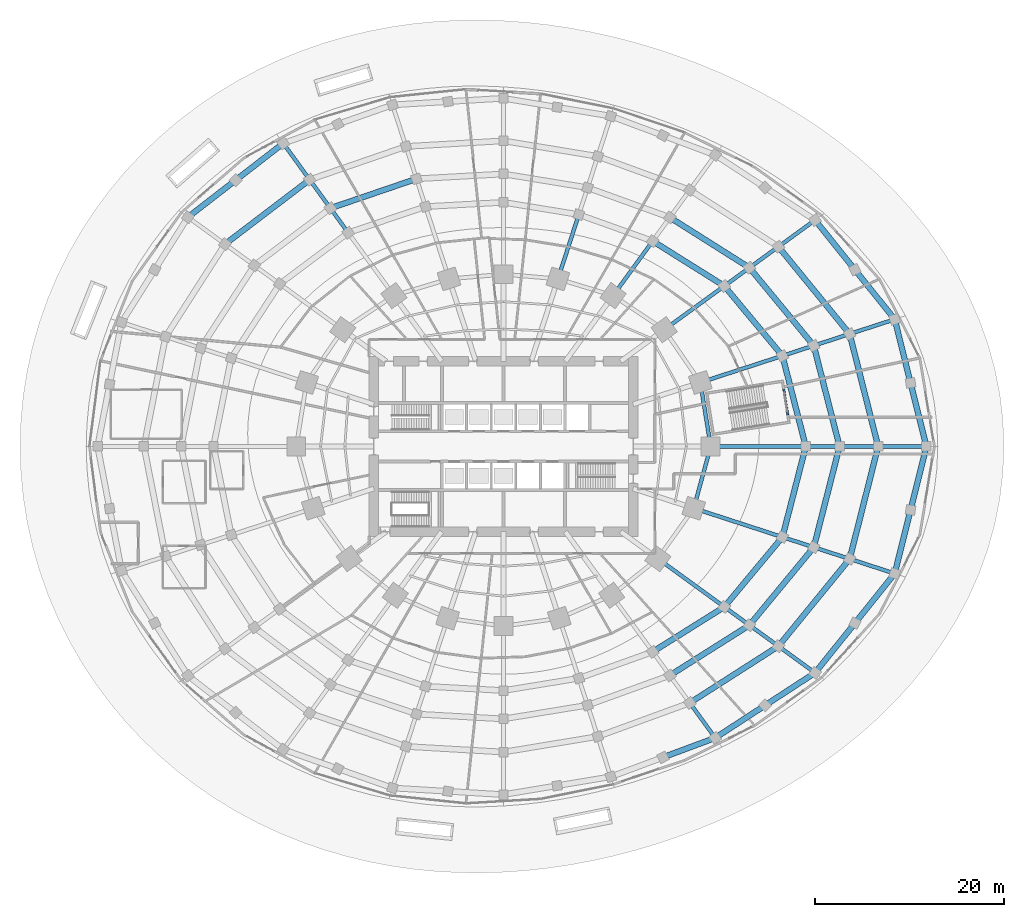
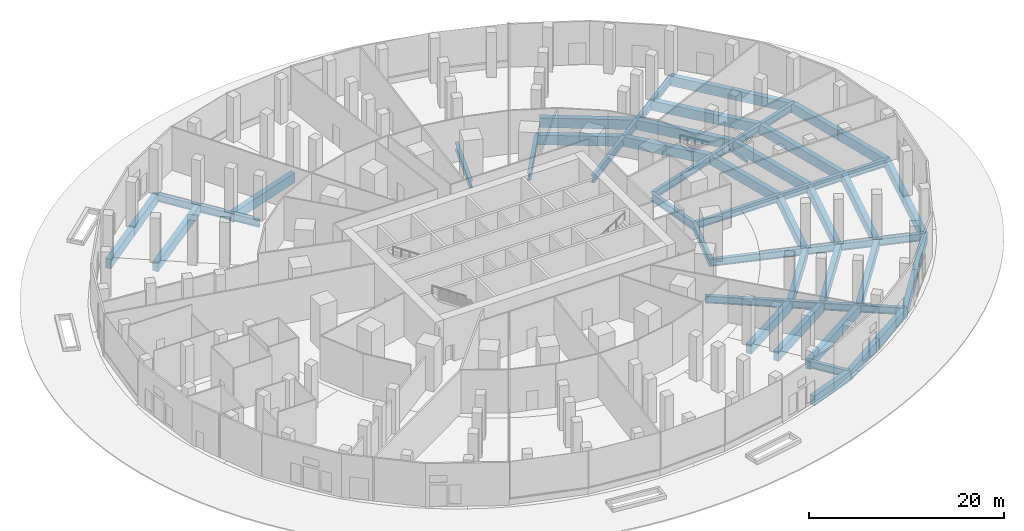
# One storey, part 9 of 23: 61 beams.
"""IFC4 building model written with IfcOpenShell, lengths in metres."""

from ifc_helpers import new_model, si_unit, direction, frame, origin, origin_2d, place, context, subcontext, project, spatial, rectangle, i_section, extrude, material, material_profile, profile_set, type_object, element, save


model = new_model("IFC4")

# Units and contexts
model_context = context("Model", 3, precision=1e-05, world=origin(), true_north=direction((0.0, 1.0)))
body_context = subcontext(model_context, "Body", "Model", "MODEL_VIEW")
ifc_project = project(units=[si_unit("LENGTHUNIT", "METRE"), si_unit("AREAUNIT", "SQUARE_METRE"), si_unit("VOLUMEUNIT", "CUBIC_METRE"), si_unit("PLANEANGLEUNIT", "RADIAN"), si_unit("MASSUNIT", "GRAM", prefix="KILO")], contexts=[model_context])

# Site, building, storey
site_placement = place(None, origin())
site = spatial("IfcSite", under=ifc_project, at=site_placement, CompositionType="ELEMENT")
building_placement = place(site_placement, origin())
building = spatial("IfcBuilding", under=site, at=building_placement, Name="Marramba Exchange Tower", CompositionType="ELEMENT")
storey_placement = place(building_placement, origin())
storey = spatial("IfcBuildingStorey", under=building, at=storey_placement, Name="L00", CompositionType="ELEMENT", Elevation=0.0)

# Beams
ifc_material_1 = material(Name="Concrete N50", Category="concrete")
ifc_material_profile_1 = material_profile(ifc_material_1, rectangle(XDim=0.60009765625, YDim=1.199951171875, at=origin_2d()), Name="RC 600x1200")
ifc_profile_set_1 = profile_set([ifc_material_profile_1], Name="Concrete N50")
beam_type_1 = type_object("IfcBeamType", Name="Edge beam RC 600x1200 N50", PredefinedType="SPANDREL", material=ifc_profile_set_1)
beam_1_placement = place(storey_placement, frame((44.699951171875, 0.0, -0.800048828125), z_axis=(-0.241871786274, 0.97030821856, 0.0), x_axis=(-0.97030821856, -0.241871786274, 0.0)))
element("IfcBeam", 1, at=beam_1_placement, inside=storey, type_object=beam_type_1, Name="Edge beam L00 P0C01 half 1", PredefinedType="SPANDREL", context=body_context, shape_type="SweptSolid", body=[
    extrude(rectangle(XDim=0.60009765625, YDim=1.199951171875, at=origin_2d()), origin(), (0.0, 0.0, 1.0), 6.92333984375),
])
beam_2_placement = place(storey_placement, frame((43.025390625, 6.7177734375, -0.800048828125), z_axis=(-0.24186351057, 0.970310281433, 0.0), x_axis=(-0.970310281433, -0.24186351057, 0.0)))
element("IfcBeam", 2, at=beam_2_placement, inside=storey, type_object=beam_type_1, Name="Edge beam L00 P0C01 half 2", PredefinedType="SPANDREL", context=body_context, shape_type="SweptSolid", body=[
    extrude(rectangle(XDim=0.60009765625, YDim=1.199951171875, at=origin_2d()), origin(), (0.0, 0.0, 1.0), 6.923583984375),
])
beam_3_placement = place(storey_placement, frame((41.350830078125, 13.435791015625, -0.800048828125), z_axis=(-0.626008962796, 0.779815861918, 0.0), x_axis=(-0.779815861918, -0.626008962796, 0.0)))
element("IfcBeam", 3, at=beam_3_placement, inside=storey, type_object=beam_type_1, Name="Edge beam L00 P0C02 half 1", PredefinedType="SPANDREL", context=body_context, shape_type="SweptSolid", body=[
    extrude(rectangle(XDim=0.60009765625, YDim=1.199951171875, at=origin_2d()), origin(), (0.0, 0.0, 1.0), 6.7255859375),
])
beam_4_placement = place(storey_placement, frame((37.140625, 18.680419921875, -0.800048828125), z_axis=(-0.626013316532, 0.779812366871, 0.0), x_axis=(-0.779812366871, -0.626013316532, 0.0)))
element("IfcBeam", 4, at=beam_4_placement, inside=storey, type_object=beam_type_1, Name="Edge beam L00 P0C02 half 2", PredefinedType="SPANDREL", context=body_context, shape_type="SweptSolid", body=[
    extrude(rectangle(XDim=0.60009765625, YDim=1.199951171875, at=origin_2d()), origin(), (0.0, 0.0, 1.0), 6.725830078125),
])
beam_5_placement = place(storey_placement, frame((-23.27490234375, 32.03515625, -0.800048828125), z_axis=(-0.790645934267, -0.612273637051, 0.0), x_axis=(0.612273637051, -0.790645934267, 0.0)))
element("IfcBeam", 5, at=beam_5_placement, inside=storey, type_object=beam_type_1, Name="Edge beam L00 P0C08 half 1", PredefinedType="SPANDREL", context=body_context, shape_type="SweptSolid", body=[
    extrude(rectangle(XDim=0.60009765625, YDim=1.199951171875, at=origin_2d()), origin(), (0.0, 0.0, 1.0), 6.372802734375),
])
beam_6_placement = place(storey_placement, frame((-28.3134765625, 28.13330078125, -0.800048828125), z_axis=(-0.790664479988, -0.612249687697, 0.0), x_axis=(0.612249687697, -0.790664479988, 0.0)))
element("IfcBeam", 6, at=beam_6_placement, inside=storey, type_object=beam_type_1, Name="Edge beam L00 P0C08 half 2", PredefinedType="SPANDREL", context=body_context, shape_type="SweptSolid", body=[
    extrude(rectangle(XDim=0.60009765625, YDim=1.199951171875, at=origin_2d()), origin(), (0.0, 0.0, 1.0), 6.37255859375),
])
beam_7_placement = place(storey_placement, frame((16.861572265625, -32.857177734375, -0.800048828125), z_axis=(0.937168261872, 0.348877699115, 0.0), x_axis=(-0.348877699115, 0.937168261872, 0.0)))
element("IfcBeam", 7, at=beam_7_placement, inside=storey, type_object=beam_type_1, Name="Edge beam L00 P0C17 half 2", PredefinedType="SPANDREL", context=body_context, shape_type="SweptSolid", body=[
    extrude(rectangle(XDim=0.60009765625, YDim=1.199951171875, at=origin_2d()), origin(), (0.0, 0.0, 1.0), 5.887939453125),
])
beam_8_placement = place(storey_placement, frame((22.379638671875, -30.802978515625, -0.800048828125), z_axis=(0.8377200998, 0.546099839216, 0.0), x_axis=(-0.546099839216, 0.8377200998, 0.0)))
element("IfcBeam", 8, at=beam_8_placement, inside=storey, type_object=beam_type_1, Name="Edge beam L00 P0C18 half 1", PredefinedType="SPANDREL", context=body_context, shape_type="SweptSolid", body=[
    extrude(rectangle(XDim=0.60009765625, YDim=1.199951171875, at=origin_2d()), origin(), (0.0, 0.0, 1.0), 6.29736328125),
])
beam_9_placement = place(storey_placement, frame((27.655029296875, -27.364013671875, -0.800048828125), z_axis=(0.837726274184, 0.54609036756, 0.0), x_axis=(-0.54609036756, 0.837726274184, 0.0)))
element("IfcBeam", 9, at=beam_9_placement, inside=storey, type_object=beam_type_1, Name="Edge beam L00 P0C18 half 2", PredefinedType="SPANDREL", context=body_context, shape_type="SweptSolid", body=[
    extrude(rectangle(XDim=0.60009765625, YDim=1.199951171875, at=origin_2d()), origin(), (0.0, 0.0, 1.0), 6.296875),
])
beam_10_placement = place(storey_placement, frame((32.93017578125, -23.92529296875, -0.800048828125), z_axis=(0.626013316532, 0.779812366871, 0.0), x_axis=(-0.779812366871, 0.626013316532, 0.0)))
element("IfcBeam", 10, at=beam_10_placement, inside=storey, type_object=beam_type_1, Name="Edge beam L00 P0C19 half 1", PredefinedType="SPANDREL", context=body_context, shape_type="SweptSolid", body=[
    extrude(rectangle(XDim=0.60009765625, YDim=1.199951171875, at=origin_2d()), origin(), (0.0, 0.0, 1.0), 6.725830078125),
])
beam_11_placement = place(storey_placement, frame((37.140625, -18.680419921875, -0.800048828125), z_axis=(0.626008962796, 0.779815861918, 0.0), x_axis=(-0.779815861918, 0.626008962796, 0.0)))
element("IfcBeam", 11, at=beam_11_placement, inside=storey, type_object=beam_type_1, Name="Edge beam L00 P0C19 half 2", PredefinedType="SPANDREL", context=body_context, shape_type="SweptSolid", body=[
    extrude(rectangle(XDim=0.60009765625, YDim=1.199951171875, at=origin_2d()), origin(), (0.0, 0.0, 1.0), 6.7255859375),
])
beam_12_placement = place(storey_placement, frame((41.350830078125, -13.435791015625, -0.800048828125), z_axis=(0.24186351057, 0.970310281433, 0.0), x_axis=(-0.970310281433, 0.24186351057, 0.0)))
element("IfcBeam", 12, at=beam_12_placement, inside=storey, type_object=beam_type_1, Name="Edge beam L00 P0C20 half 1", PredefinedType="SPANDREL", context=body_context, shape_type="SweptSolid", body=[
    extrude(rectangle(XDim=0.60009765625, YDim=1.199951171875, at=origin_2d()), origin(), (0.0, 0.0, 1.0), 6.923583984375),
])
beam_13_placement = place(storey_placement, frame((43.025390625, -6.7177734375, -0.800048828125), z_axis=(0.241871786274, 0.97030821856, 0.0), x_axis=(-0.97030821856, 0.241871786274, 0.0)))
element("IfcBeam", 13, at=beam_13_placement, inside=storey, type_object=beam_type_1, Name="Edge beam L00 P0C20 half 2", PredefinedType="SPANDREL", context=body_context, shape_type="SweptSolid", body=[
    extrude(rectangle(XDim=0.60009765625, YDim=1.199951171875, at=origin_2d()), origin(), (0.0, 0.0, 1.0), 6.92333984375),
])
beam_14_placement = place(storey_placement, frame((39.60009765625, 0.0, -0.800048828125), z_axis=(-0.245536956623, 0.969387230642, 0.0), x_axis=(-0.969387230642, -0.245536956623, 0.0)))
element("IfcBeam", 14, at=beam_14_placement, inside=storey, type_object=beam_type_1, Name="Edge beam L00 P1C01", PredefinedType="SPANDREL", context=body_context, shape_type="SweptSolid", body=[
    extrude(rectangle(XDim=0.60009765625, YDim=1.199951171875, at=origin_2d()), origin(), (0.0, 0.0, 1.0), 12.263916015625),
])
beam_15_placement = place(storey_placement, frame((36.5888671875, 11.888427734375, -0.800048828125), z_axis=(-0.632507305582, 0.774554393432, 0.0), x_axis=(-0.774554393432, -0.632507305582, 0.0)))
element("IfcBeam", 15, at=beam_15_placement, inside=storey, type_object=beam_type_1, Name="Edge beam L00 P1C02", PredefinedType="SPANDREL", context=body_context, shape_type="SweptSolid", body=[
    extrude(rectangle(XDim=0.60009765625, YDim=1.199951171875, at=origin_2d()), origin(), (0.0, 0.0, 1.0), 11.907470703125),
])
beam_16_placement = place(storey_placement, frame((-20.482666015625, 28.19189453125, -0.800048828125), z_axis=(-0.795801398517, -0.605557705027, 0.0), x_axis=(0.605557705027, -0.795801398517, 0.0)))
element("IfcBeam", 16, at=beam_16_placement, inside=storey, type_object=beam_type_1, Name="Edge beam L00 P1C08", PredefinedType="SPANDREL", context=body_context, shape_type="SweptSolid", body=[
    extrude(rectangle(XDim=0.60009765625, YDim=1.199951171875, at=origin_2d()), origin(), (0.0, 0.0, 1.0), 11.244384765625),
])
beam_17_placement = place(storey_placement, frame((19.691650390625, -27.103271484375, -0.800048828125), z_axis=(0.84235792629, 0.538918476225, 0.0), x_axis=(-0.538918476225, 0.84235792629, 0.0)))
element("IfcBeam", 17, at=beam_17_placement, inside=storey, type_object=beam_type_1, Name="Edge beam L00 P1C18", PredefinedType="SPANDREL", context=body_context, shape_type="SweptSolid", body=[
    extrude(rectangle(XDim=0.60009765625, YDim=1.199951171875, at=origin_2d()), origin(), (0.0, 0.0, 1.0), 11.118408203125),
])
beam_18_placement = place(storey_placement, frame((29.057373046875, -21.111328125, -0.800048828125), z_axis=(0.632507305582, 0.774554393432, 0.0), x_axis=(-0.774554393432, 0.632507305582, 0.0)))
element("IfcBeam", 18, at=beam_18_placement, inside=storey, type_object=beam_type_1, Name="Edge beam L00 P1C19", PredefinedType="SPANDREL", context=body_context, shape_type="SweptSolid", body=[
    extrude(rectangle(XDim=0.60009765625, YDim=1.199951171875, at=origin_2d()), origin(), (0.0, 0.0, 1.0), 11.907470703125),
])
beam_19_placement = place(storey_placement, frame((36.5888671875, -11.888427734375, -0.800048828125), z_axis=(0.245536956623, 0.969387230642, 0.0), x_axis=(-0.969387230642, 0.245536956623, 0.0)))
element("IfcBeam", 19, at=beam_19_placement, inside=storey, type_object=beam_type_1, Name="Edge beam L00 P1C20", PredefinedType="SPANDREL", context=body_context, shape_type="SweptSolid", body=[
    extrude(rectangle(XDim=0.60009765625, YDim=1.199951171875, at=origin_2d()), origin(), (0.0, 0.0, 1.0), 12.263916015625),
])
beam_20_placement = place(storey_placement, frame((35.52001953125, 0.0, -0.800048828125), z_axis=(-0.24788024769, 0.968790680594, 0.0), x_axis=(-0.968790680594, -0.24788024769, 0.0)))
element("IfcBeam", 20, at=beam_20_placement, inside=storey, type_object=beam_type_1, Name="Edge beam L00 P2C01", PredefinedType="SPANDREL", context=body_context, shape_type="SweptSolid", body=[
    extrude(rectangle(XDim=0.60009765625, YDim=1.199951171875, at=origin_2d()), origin(), (0.0, 0.0, 1.0), 10.99853515625),
])
beam_21_placement = place(storey_placement, frame((32.793701171875, 10.6552734375, -0.800048828125), z_axis=(-0.636682264125, 0.77112625072, 0.0), x_axis=(-0.77112625072, -0.636682264125, 0.0)))
element("IfcBeam", 21, at=beam_21_placement, inside=storey, type_object=beam_type_1, Name="Edge beam L00 P2C02", PredefinedType="SPANDREL", context=body_context, shape_type="SweptSolid", body=[
    extrude(rectangle(XDim=0.60009765625, YDim=1.199951171875, at=origin_2d()), origin(), (0.0, 0.0, 1.0), 10.67578125),
])
beam_22_placement = place(storey_placement, frame((25.99658203125, 18.8876953125, -0.800048828125), z_axis=(-0.845320367889, 0.534259745473, 0.0), x_axis=(-0.534259745473, -0.845320367889, 0.0)))
element("IfcBeam", 22, at=beam_22_placement, inside=storey, type_object=beam_type_1, Name="Edge beam L00 P2C03", PredefinedType="SPANDREL", context=body_context, shape_type="SweptSolid", body=[
    extrude(rectangle(XDim=0.60009765625, YDim=1.199951171875, at=origin_2d()), origin(), (0.0, 0.0, 1.0), 9.950439453125),
])
beam_23_placement = place(storey_placement, frame((-9.190185546875, 28.28466796875, -0.800048828125), z_axis=(-0.946485697002, -0.322745759649, 0.0), x_axis=(0.322745759649, -0.946485697002, 0.0)))
element("IfcBeam", 23, at=beam_23_placement, inside=storey, type_object=beam_type_1, Name="Edge beam L00 P2C07", PredefinedType="SPANDREL", context=body_context, shape_type="SweptSolid", body=[
    extrude(rectangle(XDim=0.60009765625, YDim=1.199951171875, at=origin_2d()), origin(), (0.0, 0.0, 1.0), 9.618896484375),
])
beam_24_placement = place(storey_placement, frame((17.585205078125, -24.203857421875, -0.800048828125), z_axis=(0.845320367889, 0.534259745473, 0.0), x_axis=(-0.534259745473, 0.845320367889, 0.0)))
element("IfcBeam", 24, at=beam_24_placement, inside=storey, type_object=beam_type_1, Name="Edge beam L00 P2C18", PredefinedType="SPANDREL", context=body_context, shape_type="SweptSolid", body=[
    extrude(rectangle(XDim=0.60009765625, YDim=1.199951171875, at=origin_2d()), origin(), (0.0, 0.0, 1.0), 9.950439453125),
])
beam_25_placement = place(storey_placement, frame((25.99658203125, -18.8876953125, -0.800048828125), z_axis=(0.636682264125, 0.77112625072, 0.0), x_axis=(-0.77112625072, 0.636682264125, 0.0)))
element("IfcBeam", 25, at=beam_25_placement, inside=storey, type_object=beam_type_1, Name="Edge beam L00 P2C19", PredefinedType="SPANDREL", context=body_context, shape_type="SweptSolid", body=[
    extrude(rectangle(XDim=0.60009765625, YDim=1.199951171875, at=origin_2d()), origin(), (0.0, 0.0, 1.0), 10.67578125),
])
beam_26_placement = place(storey_placement, frame((32.793701171875, -10.6552734375, -0.800048828125), z_axis=(0.24788024769, 0.968790680594, 0.0), x_axis=(-0.968790680594, 0.24788024769, 0.0)))
element("IfcBeam", 26, at=beam_26_placement, inside=storey, type_object=beam_type_1, Name="Edge beam L00 P2C20", PredefinedType="SPANDREL", context=body_context, shape_type="SweptSolid", body=[
    extrude(rectangle(XDim=0.60009765625, YDim=1.199951171875, at=origin_2d()), origin(), (0.0, 0.0, 1.0), 10.99853515625),
])
beam_27_placement = place(storey_placement, frame((31.949951171875, 0.0, -0.800048828125), z_axis=(-0.249492097231, 0.968376834409, 0.0), x_axis=(-0.968376834409, -0.249492097231, 0.0)))
element("IfcBeam", 27, at=beam_27_placement, inside=storey, type_object=beam_type_1, Name="Edge beam L00 P3C01", PredefinedType="SPANDREL", context=body_context, shape_type="SweptSolid", body=[
    extrude(rectangle(XDim=0.60009765625, YDim=1.199951171875, at=origin_2d()), origin(), (0.0, 0.0, 1.0), 9.89208984375),
])
beam_28_placement = place(storey_placement, frame((29.48193359375, 9.579345703125, -0.800048828125), z_axis=(-0.639553814052, 0.768746329377, 0.0), x_axis=(-0.768746329377, -0.639553814052, 0.0)))
element("IfcBeam", 28, at=beam_28_placement, inside=storey, type_object=beam_type_1, Name="Edge beam L00 P3C02", PredefinedType="SPANDREL", context=body_context, shape_type="SweptSolid", body=[
    extrude(rectangle(XDim=0.60009765625, YDim=1.199951171875, at=origin_2d()), origin(), (0.0, 0.0, 1.0), 9.599853515625),
])
for number, where, z_axis, x_axis, name in (
    (29, (23.34228515625, 16.959228515625, -0.800048828125), (-0.847342315291, 0.531047079567, 0.0), (-0.531047079567, -0.847342315291, 0.0), "Edge beam L00 P3C03"),
    (30, (15.769775390625, -21.705078125, -0.800048828125), (0.847342315291, 0.531047079567, 0.0), (-0.531047079567, 0.847342315291, 0.0), "Edge beam L00 P3C18"),
):
    element("IfcBeam", number, at=place(storey_placement, frame(where, z_axis=z_axis, x_axis=x_axis)), inside=storey, type_object=beam_type_1, Name=name, PredefinedType="SPANDREL", context=body_context, shape_type="SweptSolid", body=[
        extrude(rectangle(XDim=0.60009765625, YDim=1.199951171875, at=origin_2d()), origin(), (0.0, 0.0, 1.0), 8.936767578125),
    ])
beam_29_placement = place(storey_placement, frame((23.34228515625, -16.959228515625, -0.800048828125), z_axis=(0.639553814052, 0.768746329377, 0.0), x_axis=(-0.768746329377, 0.639553814052, 0.0)))
element("IfcBeam", 31, at=beam_29_placement, inside=storey, type_object=beam_type_1, Name="Edge beam L00 P3C19", PredefinedType="SPANDREL", context=body_context, shape_type="SweptSolid", body=[
    extrude(rectangle(XDim=0.60009765625, YDim=1.199951171875, at=origin_2d()), origin(), (0.0, 0.0, 1.0), 9.599853515625),
])
beam_30_placement = place(storey_placement, frame((29.48193359375, -9.579345703125, -0.800048828125), z_axis=(0.249492097231, 0.968376834409, 0.0), x_axis=(-0.968376834409, 0.249492097231, 0.0)))
element("IfcBeam", 32, at=beam_30_placement, inside=storey, type_object=beam_type_1, Name="Edge beam L00 P3C20", PredefinedType="SPANDREL", context=body_context, shape_type="SweptSolid", body=[
    extrude(rectangle(XDim=0.60009765625, YDim=1.199951171875, at=origin_2d()), origin(), (0.0, 0.0, 1.0), 9.89208984375),
])
ifc_material_2 = material(Name="Concrete N40", Category="concrete")
ifc_material_profile_2 = material_profile(ifc_material_2, rectangle(XDim=0.199951171875, YDim=0.300048828125, at=origin_2d()), Name="RC 200x300")
ifc_profile_set_2 = profile_set([ifc_material_profile_2], Name="Concrete N40")
beam_type_2 = type_object("IfcBeamType", Name="Lintel RC 200x300 N40", PredefinedType="LINTEL", material=ifc_profile_set_2)
beam_31_placement = place(storey_placement, frame((30.054931640625, 3.292236328125, 2.449951171875), z_axis=(-0.156420041726, 0.987690624916, 0.0), x_axis=(-0.987690624916, -0.156420041726, 0.0)))
element("IfcBeam", 33, at=beam_31_placement, inside=storey, type_object=beam_type_2, Name="Lintel ST4 L00 passage opening", PredefinedType="LINTEL", context=body_context, shape_type="SweptSolid", body=[
    extrude(rectangle(XDim=0.199951171875, YDim=0.300048828125, at=origin_2d()), origin(), (0.0, 0.0, 1.0), 2.85009765625),
])
ifc_material_3 = material(Name="Steel AS/NZS 3679.2 grade 300", Category="steel")
ifc_material_profile_3 = material_profile(ifc_material_3, i_section(OverallWidth=0.39990234375, OverallDepth=0.89990234375, WebThickness=0.01611328125, FlangeThickness=0.031982421875, at=origin_2d()), Name="900WB282")
ifc_profile_set_3 = profile_set([ifc_material_profile_3], Name="Steel AS/NZS 3679.2 grade 300")
beam_type_3 = type_object("IfcBeamType", Name="Radial girder 900WB282", PredefinedType="BEAM", material=ifc_profile_set_3)
beam_32_placement = place(storey_placement, frame((44.699951171875, 0.0, -0.64990234375), z_axis=(-1.0, 0.0, 0.0), x_axis=(0.0, -1.0, 0.0)))
element("IfcBeam", 34, at=beam_32_placement, inside=storey, type_object=beam_type_3, Name="Radial girder L00 P0C01", PredefinedType="BEAM", context=body_context, shape_type="SweptSolid", body=[
    extrude(i_section(OverallWidth=0.39990234375, OverallDepth=0.89990234375, WebThickness=0.01611328125, FlangeThickness=0.031982421875, at=origin_2d()), origin(), (0.0, 0.0, 1.0), 5.099853515625),
])
beam_33_placement = place(storey_placement, frame((41.350830078125, 13.435791015625, -0.64990234375), z_axis=(-0.951050191909, -0.309036458155, 0.0), x_axis=(0.309036458155, -0.951050191909, 0.0)))
element("IfcBeam", 35, at=beam_33_placement, inside=storey, type_object=beam_type_3, Name="Radial girder L00 P0C02", PredefinedType="BEAM", context=body_context, shape_type="SweptSolid", body=[
    extrude(i_section(OverallWidth=0.39990234375, OverallDepth=0.89990234375, WebThickness=0.01611328125, FlangeThickness=0.031982421875, at=origin_2d()), origin(), (0.0, 0.0, 1.0), 5.007080078125),
])
beam_34_placement = place(storey_placement, frame((32.93017578125, 23.92529296875, -0.64990234375), z_axis=(-0.808996237592, -0.587813820493, 0.0), x_axis=(0.587813820493, -0.808996237592, 0.0)))
element("IfcBeam", 36, at=beam_34_placement, inside=storey, type_object=beam_type_3, Name="Radial girder L00 P0C03", PredefinedType="BEAM", context=body_context, shape_type="SweptSolid", body=[
    extrude(i_section(OverallWidth=0.39990234375, OverallDepth=0.89990234375, WebThickness=0.01611328125, FlangeThickness=0.031982421875, at=origin_2d()), origin(), (0.0, 0.0, 1.0), 4.787109375),
])
beam_35_placement = place(storey_placement, frame((-23.27490234375, 32.03515625, -0.64990234375), z_axis=(0.587777432496, -0.809022675732, 0.0), x_axis=(0.809022675732, 0.587777432496, 0.0)))
element("IfcBeam", 37, at=beam_35_placement, inside=storey, type_object=beam_type_3, Name="Radial girder L00 P0C08", PredefinedType="BEAM", context=body_context, shape_type="SweptSolid", body=[
    extrude(i_section(OverallWidth=0.39990234375, OverallDepth=0.89990234375, WebThickness=0.01611328125, FlangeThickness=0.031982421875, at=origin_2d()), origin(), (0.0, 0.0, 1.0), 4.75048828125),
])
beam_36_placement = place(storey_placement, frame((22.379638671875, -30.802978515625, -0.64990234375), z_axis=(-0.587784362344, 0.809017640959, 0.0), x_axis=(-0.809017640959, -0.587784362344, 0.0)))
element("IfcBeam", 38, at=beam_36_placement, inside=storey, type_object=beam_type_3, Name="Radial girder L00 P0C18", PredefinedType="BEAM", context=body_context, shape_type="SweptSolid", body=[
    extrude(i_section(OverallWidth=0.39990234375, OverallDepth=0.89990234375, WebThickness=0.01611328125, FlangeThickness=0.031982421875, at=origin_2d()), origin(), (0.0, 0.0, 1.0), 4.572998046875),
])
beam_37_placement = place(storey_placement, frame((32.93017578125, -23.92529296875, -0.64990234375), z_axis=(-0.808996237592, 0.587813820493, 0.0), x_axis=(-0.587813820493, -0.808996237592, 0.0)))
element("IfcBeam", 39, at=beam_37_placement, inside=storey, type_object=beam_type_3, Name="Radial girder L00 P0C19", PredefinedType="BEAM", context=body_context, shape_type="SweptSolid", body=[
    extrude(i_section(OverallWidth=0.39990234375, OverallDepth=0.89990234375, WebThickness=0.01611328125, FlangeThickness=0.031982421875, at=origin_2d()), origin(), (0.0, 0.0, 1.0), 4.787109375),
])
beam_38_placement = place(storey_placement, frame((41.350830078125, -13.435791015625, -0.64990234375), z_axis=(-0.951050191909, 0.309036458155, 0.0), x_axis=(-0.309036458155, -0.951050191909, 0.0)))
element("IfcBeam", 40, at=beam_38_placement, inside=storey, type_object=beam_type_3, Name="Radial girder L00 P0C20", PredefinedType="BEAM", context=body_context, shape_type="SweptSolid", body=[
    extrude(i_section(OverallWidth=0.39990234375, OverallDepth=0.89990234375, WebThickness=0.01611328125, FlangeThickness=0.031982421875, at=origin_2d()), origin(), (0.0, 0.0, 1.0), 5.007080078125),
])
beam_39_placement = place(storey_placement, frame((39.60009765625, 0.0, -0.64990234375), z_axis=(-1.0, 0.0, 0.0), x_axis=(0.0, -1.0, 0.0)))
element("IfcBeam", 41, at=beam_39_placement, inside=storey, type_object=beam_type_3, Name="Radial girder L00 P1C01", PredefinedType="BEAM", context=body_context, shape_type="SweptSolid", body=[
    extrude(i_section(OverallWidth=0.39990234375, OverallDepth=0.89990234375, WebThickness=0.01611328125, FlangeThickness=0.031982421875, at=origin_2d()), origin(), (0.0, 0.0, 1.0), 4.080078125),
])
beam_40_placement = place(storey_placement, frame((36.5888671875, 11.888427734375, -0.64990234375), z_axis=(-0.951054298871, -0.309023818822, 0.0), x_axis=(0.309023818822, -0.951054298871, 0.0)))
element("IfcBeam", 42, at=beam_40_placement, inside=storey, type_object=beam_type_3, Name="Radial girder L00 P1C02", PredefinedType="BEAM", context=body_context, shape_type="SweptSolid", body=[
    extrude(i_section(OverallWidth=0.39990234375, OverallDepth=0.89990234375, WebThickness=0.01611328125, FlangeThickness=0.031982421875, at=origin_2d()), origin(), (0.0, 0.0, 1.0), 3.990478515625),
])
beam_41_placement = place(storey_placement, frame((29.057373046875, 21.111328125, -0.64990234375), z_axis=(-0.809037359893, -0.58775722054, 0.0), x_axis=(0.58775722054, -0.809037359893, 0.0)))
element("IfcBeam", 43, at=beam_41_placement, inside=storey, type_object=beam_type_3, Name="Radial girder L00 P1C03", PredefinedType="BEAM", context=body_context, shape_type="SweptSolid", body=[
    extrude(i_section(OverallWidth=0.39990234375, OverallDepth=0.89990234375, WebThickness=0.01611328125, FlangeThickness=0.031982421875, at=origin_2d()), origin(), (0.0, 0.0, 1.0), 3.783203125),
])
beam_42_placement = place(storey_placement, frame((-20.482666015625, 28.19189453125, -0.64990234375), z_axis=(0.587801192771, -0.809005412699, 0.0), x_axis=(0.809005412699, 0.587801192771, 0.0)))
element("IfcBeam", 44, at=beam_42_placement, inside=storey, type_object=beam_type_3, Name="Radial girder L00 P1C08", PredefinedType="BEAM", context=body_context, shape_type="SweptSolid", body=[
    extrude(i_section(OverallWidth=0.39990234375, OverallDepth=0.89990234375, WebThickness=0.01611328125, FlangeThickness=0.031982421875, at=origin_2d()), origin(), (0.0, 0.0, 1.0), 3.72265625),
])
beam_43_placement = place(storey_placement, frame((29.057373046875, -21.111328125, -0.64990234375), z_axis=(-0.809037359893, 0.58775722054, 0.0), x_axis=(-0.58775722054, -0.809037359893, 0.0)))
element("IfcBeam", 45, at=beam_43_placement, inside=storey, type_object=beam_type_3, Name="Radial girder L00 P1C19", PredefinedType="BEAM", context=body_context, shape_type="SweptSolid", body=[
    extrude(i_section(OverallWidth=0.39990234375, OverallDepth=0.89990234375, WebThickness=0.01611328125, FlangeThickness=0.031982421875, at=origin_2d()), origin(), (0.0, 0.0, 1.0), 3.783203125),
])
beam_44_placement = place(storey_placement, frame((36.5888671875, -11.888427734375, -0.64990234375), z_axis=(-0.951054298871, 0.309023818822, 0.0), x_axis=(-0.309023818822, -0.951054298871, 0.0)))
element("IfcBeam", 46, at=beam_44_placement, inside=storey, type_object=beam_type_3, Name="Radial girder L00 P1C20", PredefinedType="BEAM", context=body_context, shape_type="SweptSolid", body=[
    extrude(i_section(OverallWidth=0.39990234375, OverallDepth=0.89990234375, WebThickness=0.01611328125, FlangeThickness=0.031982421875, at=origin_2d()), origin(), (0.0, 0.0, 1.0), 3.990478515625),
])
beam_45_placement = place(storey_placement, frame((35.52001953125, 0.0, -0.64990234375), z_axis=(-1.0, 0.0, 0.0), x_axis=(0.0, -1.0, 0.0)))
element("IfcBeam", 47, at=beam_45_placement, inside=storey, type_object=beam_type_3, Name="Radial girder L00 P2C01", PredefinedType="BEAM", context=body_context, shape_type="SweptSolid", body=[
    extrude(i_section(OverallWidth=0.39990234375, OverallDepth=0.89990234375, WebThickness=0.01611328125, FlangeThickness=0.031982421875, at=origin_2d()), origin(), (0.0, 0.0, 1.0), 3.570068359375),
])
beam_46_placement = place(storey_placement, frame((32.793701171875, 10.6552734375, -0.64990234375), z_axis=(-0.951067553557, -0.308983023113, 0.0), x_axis=(0.308983023113, -0.951067553557, 0.0)))
element("IfcBeam", 48, at=beam_46_placement, inside=storey, type_object=beam_type_3, Name="Radial girder L00 P2C02", PredefinedType="BEAM", context=body_context, shape_type="SweptSolid", body=[
    extrude(i_section(OverallWidth=0.39990234375, OverallDepth=0.89990234375, WebThickness=0.01611328125, FlangeThickness=0.031982421875, at=origin_2d()), origin(), (0.0, 0.0, 1.0), 3.482177734375),
])
beam_47_placement = place(storey_placement, frame((25.99658203125, 18.8876953125, -0.64990234375), z_axis=(-0.809015945709, -0.587786695655, 0.0), x_axis=(0.587786695655, -0.809015945709, 0.0)))
element("IfcBeam", 49, at=beam_47_placement, inside=storey, type_object=beam_type_3, Name="Radial girder L00 P2C03", PredefinedType="BEAM", context=body_context, shape_type="SweptSolid", body=[
    extrude(i_section(OverallWidth=0.39990234375, OverallDepth=0.89990234375, WebThickness=0.01611328125, FlangeThickness=0.031982421875, at=origin_2d()), origin(), (0.0, 0.0, 1.0), 3.281005859375),
])
beam_48_placement = place(storey_placement, frame((-18.29443359375, 25.18017578125, -0.64990234375), z_axis=(0.587755361263, -0.809038710635, 0.0), x_axis=(0.809038710635, 0.587755361263, 0.0)))
element("IfcBeam", 50, at=beam_48_placement, inside=storey, type_object=beam_type_3, Name="Radial girder L00 P2C08", PredefinedType="BEAM", context=body_context, shape_type="SweptSolid", body=[
    extrude(i_section(OverallWidth=0.39990234375, OverallDepth=0.89990234375, WebThickness=0.01611328125, FlangeThickness=0.031982421875, at=origin_2d()), origin(), (0.0, 0.0, 1.0), 3.20849609375),
])
beam_49_placement = place(storey_placement, frame((25.99658203125, -18.8876953125, -0.64990234375), z_axis=(-0.809015945709, 0.587786695655, 0.0), x_axis=(-0.587786695655, -0.809015945709, 0.0)))
element("IfcBeam", 51, at=beam_49_placement, inside=storey, type_object=beam_type_3, Name="Radial girder L00 P2C19", PredefinedType="BEAM", context=body_context, shape_type="SweptSolid", body=[
    extrude(i_section(OverallWidth=0.39990234375, OverallDepth=0.89990234375, WebThickness=0.01611328125, FlangeThickness=0.031982421875, at=origin_2d()), origin(), (0.0, 0.0, 1.0), 3.281005859375),
])
beam_50_placement = place(storey_placement, frame((32.793701171875, -10.6552734375, -0.64990234375), z_axis=(-0.951067553557, 0.308983023113, 0.0), x_axis=(-0.308983023113, -0.951067553557, 0.0)))
element("IfcBeam", 52, at=beam_50_placement, inside=storey, type_object=beam_type_3, Name="Radial girder L00 P2C20", PredefinedType="BEAM", context=body_context, shape_type="SweptSolid", body=[
    extrude(i_section(OverallWidth=0.39990234375, OverallDepth=0.89990234375, WebThickness=0.01611328125, FlangeThickness=0.031982421875, at=origin_2d()), origin(), (0.0, 0.0, 1.0), 3.482177734375),
])
beam_51_placement = place(storey_placement, frame((31.949951171875, 0.0, -0.64990234375), z_axis=(-1.0, 0.0, 0.0), x_axis=(0.0, -1.0, 0.0)))
element("IfcBeam", 53, at=beam_51_placement, inside=storey, type_object=beam_type_3, Name="Radial girder L00 P3C01", PredefinedType="BEAM", context=body_context, shape_type="SweptSolid", body=[
    extrude(i_section(OverallWidth=0.39990234375, OverallDepth=0.89990234375, WebThickness=0.01611328125, FlangeThickness=0.031982421875, at=origin_2d()), origin(), (0.0, 0.0, 1.0), 10.050048828125),
])
beam_52_placement = place(storey_placement, frame((29.48193359375, 9.579345703125, -0.64990234375), z_axis=(-0.95105196918, -0.309030988606, 0.0), x_axis=(0.309030988606, -0.95105196918, 0.0)))
element("IfcBeam", 54, at=beam_52_placement, inside=storey, type_object=beam_type_3, Name="Radial girder L00 P3C02", PredefinedType="BEAM", context=body_context, shape_type="SweptSolid", body=[
    extrude(i_section(OverallWidth=0.39990234375, OverallDepth=0.89990234375, WebThickness=0.01611328125, FlangeThickness=0.031982421875, at=origin_2d()), origin(), (0.0, 0.0, 1.0), 9.119873046875),
])
beam_53_placement = place(storey_placement, frame((23.34228515625, 16.959228515625, -0.64990234375), z_axis=(-0.809006078677, -0.587800276169, 0.0), x_axis=(0.587800276169, -0.809006078677, 0.0)))
element("IfcBeam", 55, at=beam_53_placement, inside=storey, type_object=beam_type_3, Name="Radial girder L00 P3C03", PredefinedType="BEAM", context=body_context, shape_type="SweptSolid", body=[
    extrude(i_section(OverallWidth=0.39990234375, OverallDepth=0.89990234375, WebThickness=0.01611328125, FlangeThickness=0.031982421875, at=origin_2d()), origin(), (0.0, 0.0, 1.0), 7.857177734375),
])
beam_54_placement = place(storey_placement, frame((15.769775390625, 21.705078125, -0.64990234375), z_axis=(-0.587804937429, -0.80900269192, 0.0), x_axis=(0.80900269192, -0.587804937429, 0.0)))
element("IfcBeam", 56, at=beam_54_placement, inside=storey, type_object=beam_type_3, Name="Radial girder L00 P3C04", PredefinedType="BEAM", context=body_context, shape_type="SweptSolid", body=[
    extrude(i_section(OverallWidth=0.39990234375, OverallDepth=0.89990234375, WebThickness=0.01611328125, FlangeThickness=0.031982421875, at=origin_2d()), origin(), (0.0, 0.0, 1.0), 7.125732421875),
])
beam_55_placement = place(storey_placement, frame((7.9619140625, 24.50390625, -0.64990234375), z_axis=(-0.309022717386, -0.951054656757, 0.0), x_axis=(0.951054656757, -0.309022717386, 0.0)))
element("IfcBeam", 57, at=beam_55_placement, inside=storey, type_object=beam_type_3, Name="Radial girder L00 P3C05", PredefinedType="BEAM", context=body_context, shape_type="SweptSolid", body=[
    extrude(i_section(OverallWidth=0.39990234375, OverallDepth=0.89990234375, WebThickness=0.01611328125, FlangeThickness=0.031982421875, at=origin_2d()), origin(), (0.0, 0.0, 1.0), 7.14501953125),
])
beam_56_placement = place(storey_placement, frame((23.34228515625, -16.959228515625, -0.64990234375), z_axis=(-0.809008266699, 0.587797264721, 0.0), x_axis=(-0.587797264721, -0.809008266699, 0.0)))
element("IfcBeam", 58, at=beam_56_placement, inside=storey, type_object=beam_type_3, Name="Radial girder L00 P3C19", PredefinedType="BEAM", context=body_context, shape_type="SweptSolid", body=[
    extrude(i_section(OverallWidth=0.39990234375, OverallDepth=0.89990234375, WebThickness=0.01611328125, FlangeThickness=0.031982421875, at=origin_2d()), origin(), (0.0, 0.0, 1.0), 8.685791015625),
])
beam_57_placement = place(storey_placement, frame((29.48193359375, -9.579345703125, -0.64990234375), z_axis=(-0.951054092785, 0.309024453071, 0.0), x_axis=(-0.309024453071, -0.951054092785, 0.0)))
element("IfcBeam", 59, at=beam_57_placement, inside=storey, type_object=beam_type_3, Name="Radial girder L00 P3C20", PredefinedType="BEAM", context=body_context, shape_type="SweptSolid", body=[
    extrude(i_section(OverallWidth=0.39990234375, OverallDepth=0.89990234375, WebThickness=0.01611328125, FlangeThickness=0.031982421875, at=origin_2d()), origin(), (0.0, 0.0, 1.0), 9.85498046875),
])
ifc_material_profile_4 = material_profile(ifc_material_3, i_section(OverallWidth=0.39990234375, OverallDepth=1.0, WebThickness=0.01611328125, FlangeThickness=0.031982421875, at=origin_2d()), Name="1000WB322")
ifc_profile_set_4 = profile_set([ifc_material_profile_4], Name="Steel AS/NZS 3679.2 grade 300")
beam_type_4 = type_object("IfcBeamType", Name="Ring beam 1000WB322", PredefinedType="SPANDREL", material=ifc_profile_set_4)
beam_58_placement = place(storey_placement, frame((21.89990234375, 0.0, -0.699951171875), z_axis=(-0.159384865399, 0.987216523708, 0.0), x_axis=(-0.987216523708, -0.159384865399, 0.0)))
element("IfcBeam", 60, at=beam_58_placement, inside=storey, type_object=beam_type_4, Name="Ring beam L00 TC01-TC02", PredefinedType="SPANDREL", context=body_context, shape_type="SweptSolid", body=[
    extrude(i_section(OverallWidth=0.39990234375, OverallDepth=1.0, WebThickness=0.01611328125, FlangeThickness=0.031982421875, at=origin_2d()), origin(), (0.0, 0.0, 1.0), 6.8486328125),
])
beam_59_placement = place(storey_placement, frame((20.109375, -6.533935546875, -0.699951171875), z_axis=(0.264291166956, 0.964442937176, 0.0), x_axis=(-0.964442937176, 0.264291166956, 0.0)))
element("IfcBeam", 61, at=beam_59_placement, inside=storey, type_object=beam_type_4, Name="Ring beam L00 TC20-TC01", PredefinedType="SPANDREL", context=body_context, shape_type="SweptSolid", body=[
    extrude(i_section(OverallWidth=0.39990234375, OverallDepth=1.0, WebThickness=0.01611328125, FlangeThickness=0.031982421875, at=origin_2d()), origin(), (0.0, 0.0, 1.0), 6.77490234375),
])

save(model, "model.ifc")
